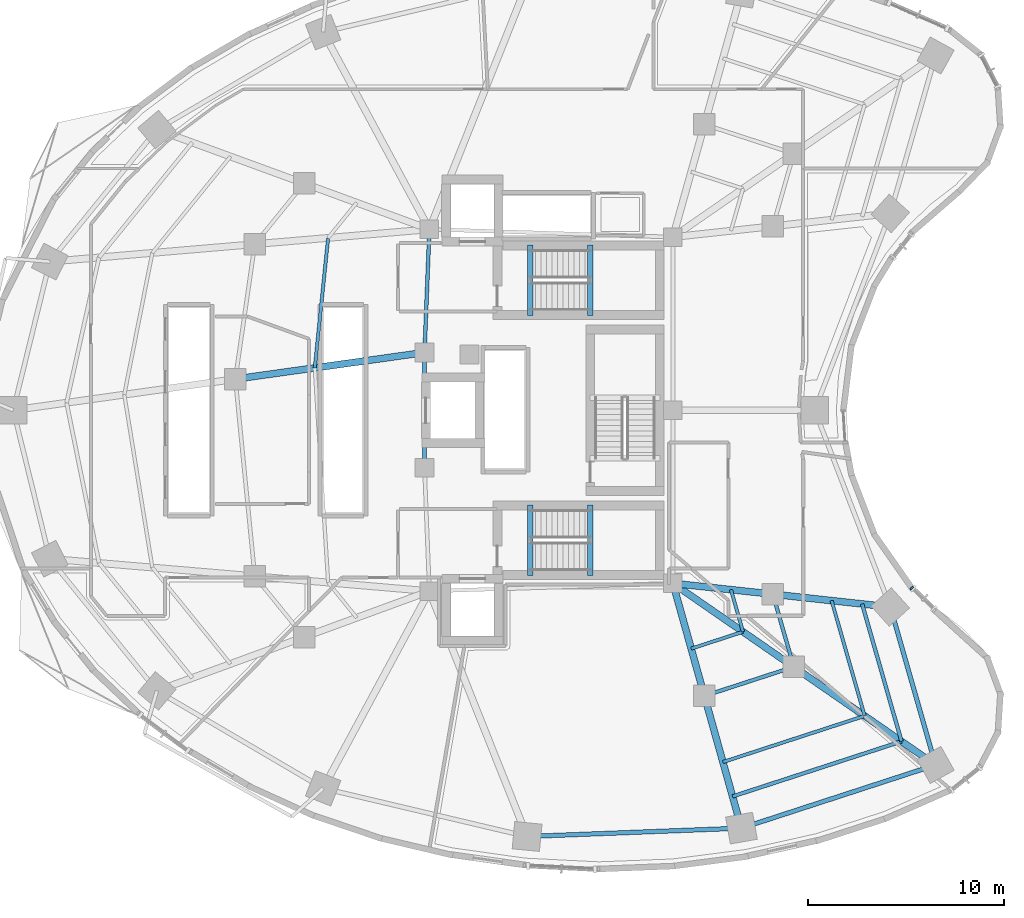
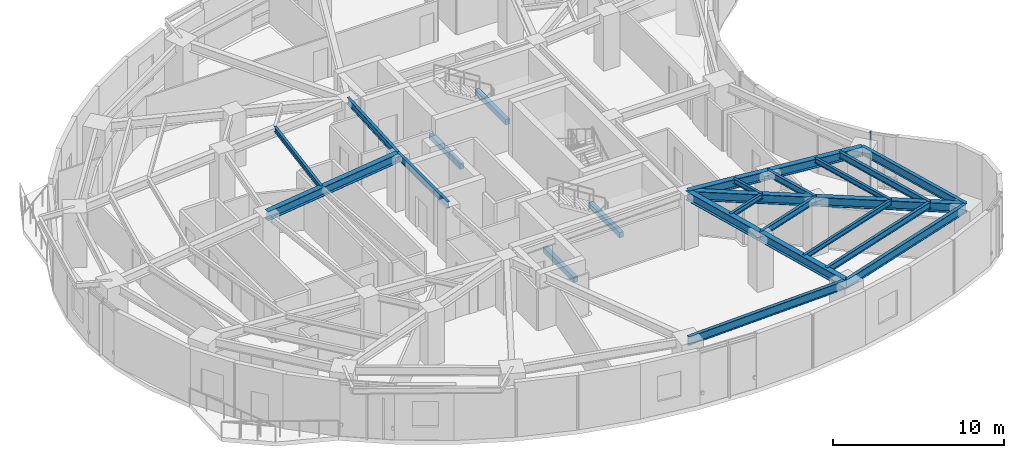
# One storey, part 3 of 14: 25 beams, 1 member, 1 element without a shape of its own.
"""IFC4 building model written with IfcOpenShell, lengths in metres."""

import ifcopenshell
import ifcopenshell.guid

model = None  # the IFC model being written
_history = None  # IfcOwnerHistory: only IFC2X3 demands one
_inside = {}  # id of a spatial element -> (the spatial element, [elements in it])
_under = {}  # id of a project, library or spatial element -> (it, [spatial elements below it])
_declared = {}  # id of a project -> (the project, [libraries it declares])
_typed = {}  # id of a type object -> (the type object, [elements of that type])
_made_of = {}  # id of a material, layer set ... -> (it, [elements and type objects made of it])


def new_model(schema):
    """Start an empty IFC model of exactly this schema.

    Asked for "IFC4X3", IfcOpenShell would pick the latest addendum, in which some entities
    have other attributes; the version numbers below select the first issue.
    IFC2X3 requires an IfcOwnerHistory on every rooted entity: one is made here for all.
    """
    global model, _history
    if schema == "IFC4X3":
        model = ifcopenshell.file(schema_version=(4, 3, 0, 0))
    else:
        model = ifcopenshell.file(schema=schema)
    _inside.clear()
    _under.clear()
    _declared.clear()
    _typed.clear()
    _made_of.clear()
    _history = None
    if model.schema == "IFC2X3":
        org = make("IfcOrganization", Name="unknown")
        user = make(
            "IfcPersonAndOrganization",
            ThePerson=make("IfcPerson", FamilyName="unknown"),
            TheOrganization=org,
        )
        app = make(
            "IfcApplication",
            ApplicationDeveloper=org,
            Version="unknown",
            ApplicationFullName="unknown",
            ApplicationIdentifier="unknown",
        )
        _history = make(
            "IfcOwnerHistory",
            OwningUser=user,
            OwningApplication=app,
            ChangeAction="ADDED",
            CreationDate=0,
        )
    return model


def make(cls, **values):
    """One entity of the class cls with the attributes given. An attribute that is None is left unset."""
    return model.create_entity(
        cls, **{name: value for name, value in values.items() if value is not None}
    )


def rooted(cls, **values):
    """An entity with a GlobalId (a new one), such as an element, a storey or a relation."""
    return make(cls, GlobalId=ifcopenshell.guid.new(), OwnerHistory=_history, **values)


def si_unit(unit_type, name, prefix=None):
    """IfcSIUnit, for example si_unit("LENGTHUNIT", "METRE", prefix="MILLI")."""
    return make("IfcSIUnit", UnitType=unit_type, Prefix=prefix, Name=name)


def assignment(units):
    """IfcUnitAssignment: the units of a project."""
    return None if units is None else make("IfcUnitAssignment", Units=units)


def point(xyz):
    """IfcCartesianPoint."""
    return None if xyz is None else make("IfcCartesianPoint", Coordinates=xyz)


def direction(xyz):
    """IfcDirection."""
    return None if xyz is None else make("IfcDirection", DirectionRatios=xyz)


def frame(location, z_axis=None, x_axis=None):
    """IfcAxis2Placement3D, a coordinate frame: its origin and axes. An axis left out is left unset."""
    return make(
        "IfcAxis2Placement3D",
        Location=point(location),
        Axis=direction(z_axis),
        RefDirection=direction(x_axis),
    )


def frame_2d(location, x_axis=None):
    """IfcAxis2Placement2D, a coordinate frame in the plane: its origin and x axis."""
    return make(
        "IfcAxis2Placement2D", Location=point(location), RefDirection=direction(x_axis)
    )


def origin():
    """The frame at (0, 0, 0) with its axes left unset."""
    return frame((0.0, 0.0, 0.0))


def origin_2d():
    """The frame at (0, 0) in the plane with its x axis left unset."""
    return frame_2d((0.0, 0.0))


def place(relative_to, where):
    """IfcLocalPlacement: puts the frame where relative to a parent placement (None: the world)."""
    return make(
        "IfcLocalPlacement", PlacementRelTo=relative_to, RelativePlacement=where
    )


def context(
    kind, dimensions, precision=None, world=None, true_north=None, identifier=None
):
    """IfcGeometricRepresentationContext, for example the 3D "Model" context."""
    return make(
        "IfcGeometricRepresentationContext",
        ContextIdentifier=identifier,
        ContextType=kind,
        CoordinateSpaceDimension=dimensions,
        Precision=precision,
        WorldCoordinateSystem=world,
        TrueNorth=true_north,
    )


def subcontext(parent, identifier, kind, view, scale=None):
    """IfcGeometricRepresentationSubContext, for example "Body" below "Model"."""
    return make(
        "IfcGeometricRepresentationSubContext",
        ContextIdentifier=identifier,
        ContextType=kind,
        ParentContext=parent,
        TargetScale=scale,
        TargetView=view,
    )


def project(units=None, contexts=None):
    """IfcProject with its units and contexts."""
    return rooted(
        "IfcProject",
        Name="project",
        RepresentationContexts=contexts,
        UnitsInContext=assignment(units),
    )


def spatial(cls, under=None, at=None, **own):
    """A site, building, storey or space (cls), placed at a placement, below another one or the project."""
    s = rooted(cls, ObjectPlacement=at, **own)
    if under is not None:
        _under.setdefault(under.id(), (under, []))[1].append(s)
    return s


def profile(cls, at=None, kind="AREA", **sizes):
    """A parametric profile (cls). Its sizes go by their IFC names, for example OverallWidth=200.0."""
    return make(cls, ProfileType=kind, Position=at, **sizes)


def rectangle(**sizes):
    """IfcRectangleProfileDef."""
    return profile("IfcRectangleProfileDef", **sizes)


def i_section(**sizes):
    """IfcIShapeProfileDef."""
    return profile("IfcIShapeProfileDef", **sizes)


def extrude(swept, where, along, depth):
    """IfcExtrudedAreaSolid: the profile swept, set in the frame where, extruded along a direction by depth."""
    return make(
        "IfcExtrudedAreaSolid",
        SweptArea=swept,
        Position=where,
        ExtrudedDirection=direction(along),
        Depth=depth,
    )


def shape(context_of_items, identifier, shape_type, items):
    """IfcShapeRepresentation: the items that make up one representation, for example the "Body"."""
    return make(
        "IfcShapeRepresentation",
        ContextOfItems=context_of_items,
        RepresentationIdentifier=identifier,
        RepresentationType=shape_type,
        Items=items,
    )


def material(Name=None, Category=None):
    """IfcMaterial."""
    return make("IfcMaterial", Name=Name, Category=Category)


def layer(
    of_material, thickness, ventilated=None, Name=None, Category=None, Priority=None
):
    """IfcMaterialLayer: one layer of a wall or slab, of a material (None: an air gap)."""
    return make(
        "IfcMaterialLayer",
        Material=of_material,
        LayerThickness=thickness,
        IsVentilated=ventilated,
        Name=Name,
        Category=Category,
        Priority=Priority,
    )


def layer_set(layers, Name=None):
    """IfcMaterialLayerSet."""
    return make("IfcMaterialLayerSet", MaterialLayers=layers, LayerSetName=Name)


def material_profile(
    of_material, cross_section, Name=None, Category=None, Priority=None
):
    """IfcMaterialProfile: a cross section and its material."""
    return make(
        "IfcMaterialProfile",
        Name=Name,
        Material=of_material,
        Profile=cross_section,
        Priority=Priority,
        Category=Category,
    )


def profile_set(profiles, Name=None, composite=None):
    """IfcMaterialProfileSet."""
    return make(
        "IfcMaterialProfileSet",
        Name=Name,
        MaterialProfiles=profiles,
        CompositeProfile=composite,
    )


def made_of(thing, what):
    """Note that an element or type object is made of a material, layer set ...; save() writes the relation."""
    if what is not None:
        _made_of.setdefault(what.id(), (what, []))[1].append(thing)
    return thing


def type_object(cls, material=None, **own):
    """A type object (cls), such as IfcWallType, which elements share."""
    return made_of(rooted(cls, **own), material)


def element(
    cls,
    number,
    at=None,
    inside=None,
    cuts=None,
    type_object=None,
    material=None,
    context=None,
    identifier="Body",
    shape_type=None,
    held_by="IfcProductDefinitionShape",
    body=None,
    shapes=None,
    **own,
):
    """One element of the class cls, such as IfcWall. Its Tag is "e" and its number.

    at: its placement. inside: the storey or other place that contains it. cuts: it is an
    opening in that element (IfcRelVoidsElement). A single representation is given by context,
    identifier, shape_type and body (its items); several are given by shapes. held_by: the class
    of the entity that holds the representations. save() writes the other relations.
    """
    e = rooted(cls, Tag="e%d" % number, ObjectPlacement=at, **own)
    if body is not None:
        shapes = [shape(context, identifier, shape_type, body)]
    if shapes is not None:
        e.Representation = make(held_by, Representations=shapes)
    if inside is not None:
        _inside.setdefault(inside.id(), (inside, []))[1].append(e)
    if cuts is not None:
        rooted(
            "IfcRelVoidsElement", RelatingBuildingElement=cuts, RelatedOpeningElement=e
        )
    if type_object is not None:
        _typed.setdefault(type_object.id(), (type_object, []))[1].append(e)
    return made_of(e, material)


def aggregate(whole, parts):
    """IfcRelAggregates: a whole, such as a stair, and the parts it consists of."""
    return rooted("IfcRelAggregates", RelatingObject=whole, RelatedObjects=parts)


def save(model, path):
    """Write the relations noted so far, then the file.

    IfcRelAggregates (storeys below a building ...), IfcRelContainedInSpatialStructure (elements
    in a storey), IfcRelDefinesByType, IfcRelAssociatesMaterial and IfcRelDeclares: one each for
    every whole, place, type object, material and project.
    """
    for whole, parts in _under.values():
        aggregate(whole, parts)
    for where, things in _inside.values():
        rooted(
            "IfcRelContainedInSpatialStructure",
            RelatedElements=things,
            RelatingStructure=where,
        )
    for kind, things in _typed.values():
        rooted("IfcRelDefinesByType", RelatedObjects=things, RelatingType=kind)
    for what, things in _made_of.values():
        rooted("IfcRelAssociatesMaterial", RelatedObjects=things, RelatingMaterial=what)
    for by, libraries in _declared.values():
        rooted("IfcRelDeclares", RelatingContext=by, RelatedDefinitions=libraries)
    model.write(path)


model = new_model("IFC4")

# Units and contexts
model_context = context("Model", 3, precision=1e-05, world=origin(), true_north=direction((0.0, 1.0)))
body_context = subcontext(model_context, "Body", "Model", "MODEL_VIEW")
ifc_project = project(units=[si_unit("LENGTHUNIT", "METRE"), si_unit("AREAUNIT", "SQUARE_METRE"), si_unit("VOLUMEUNIT", "CUBIC_METRE"), si_unit("PLANEANGLEUNIT", "RADIAN"), si_unit("MASSUNIT", "GRAM", prefix="KILO")], contexts=[model_context])

# Site, building, storey
site_placement = place(None, origin())
site = spatial("IfcSite", under=ifc_project, at=site_placement, CompositionType="ELEMENT")
building_placement = place(site_placement, origin())
building = spatial("IfcBuilding", under=site, at=building_placement, Name="Korentha Bioscience Tower", CompositionType="ELEMENT")
storey_placement = place(building_placement, frame((0.0, 0.0, 46.800048828125)))
storey = spatial("IfcBuildingStorey", under=building, at=storey_placement, Name="L10", CompositionType="ELEMENT", Elevation=46.800048828125)

# Beams
ifc_material_1 = material(Name="Concrete C50", Category="concrete")
ifc_material_profile_1 = material_profile(ifc_material_1, rectangle(XDim=0.280029296875, YDim=0.3798828125, at=origin_2d()), Name="Concrete C50")
ifc_profile_set_1 = profile_set([ifc_material_profile_1], Name="Concrete C50 (ST-HB380)")
beam_type_1 = type_object("IfcBeamType", Name="Concrete Stair Header Beam RC 280x380", PredefinedType="BEAM", material=ifc_profile_set_1)
for number, where, z_axis, x_axis, name in (
    (1, (30.25, 31.85009765625, -0.18994140625), (0.0, 1.0, 0.0), (-1.0, 0.0, 0.0), "L10 ST-1 Concrete Stair Header Beam"),
    (2, (33.330078125, 31.85009765625, 1.909912109375), (0.0, 1.0, 0.0), (-1.0, 0.0, 0.0), "L10 ST-1 Half-Landing Header Beam 1"),
    (3, (30.25, 18.550048828125, -0.18994140625), (0.0, 1.0, 0.0), (-1.0, 0.0, 0.0), "L10 ST-2 Concrete Stair Header Beam"),
    (4, (33.330078125, 18.550048828125, 1.909912109375), (0.0, 1.0, 0.0), (-1.0, 0.0, 0.0), "L10 ST-2 Half-Landing Header Beam 1"),
):
    element("IfcBeam", number, at=place(storey_placement, frame(where, z_axis=z_axis, x_axis=x_axis)), inside=storey, type_object=beam_type_1, Name=name, PredefinedType="BEAM", context=body_context, shape_type="SweptSolid", body=[
        extrude(rectangle(XDim=0.280029296875, YDim=0.3798828125, at=origin_2d()), origin(), (0.0, 0.0, 1.0), 3.599853515625),
    ])
ifc_material_2 = material(Name="Steel S355", Category="steel")
ifc_material_profile_2 = material_profile(ifc_material_2, i_section(OverallWidth=0.18994140625, OverallDepth=0.45703125, WebThickness=0.009033203125, FlangeThickness=0.014404296875, at=origin_2d()), Name="Steel S355")
ifc_profile_set_2 = profile_set([ifc_material_profile_2], Name="Steel S355 (MB-460)")
beam_type_2 = type_object("IfcBeamType", Name="Mid-Ring Tie Girder W460x74", PredefinedType="BEAM", material=ifc_profile_set_2)
beam_1_placement = place(storey_placement, frame((39.1611328125, 12.392333984375, 3.67138671875), z_axis=(0.950877001105, 0.309568940253, 0.0), x_axis=(-0.309568940253, 0.950877001105, 0.0)))
element("IfcBeam", 5, at=beam_1_placement, inside=storey, type_object=beam_type_2, Name="L10 Mid-Ring Tie Girder 12", PredefinedType="BEAM", context=body_context, shape_type="SweptSolid", body=[
    extrude(i_section(OverallWidth=0.18994140625, OverallDepth=0.45703125, WebThickness=0.009033203125, FlangeThickness=0.014404296875, at=origin_2d()), origin(), (0.0, 0.0, 1.0), 4.80126953125),
])
beam_2_placement = place(storey_placement, frame((43.7265625, 13.878662109375, 3.67138671875), z_axis=(-0.27560557792, 0.961270807535, 0.0), x_axis=(-0.961270807535, -0.27560557792, 0.0)))
element("IfcBeam", 6, at=beam_2_placement, inside=storey, type_object=beam_type_2, Name="L10 Mid-Ring Tie Girder 13", PredefinedType="BEAM", context=body_context, shape_type="SweptSolid", body=[
    extrude(i_section(OverallWidth=0.18994140625, OverallDepth=0.45703125, WebThickness=0.009033203125, FlangeThickness=0.014404296875, at=origin_2d()), origin(), (0.0, 0.0, 1.0), 3.864013671875),
])
beam_3_placement = place(storey_placement, frame((25.10009765625, 36.25, 3.67138671875), z_axis=(-0.039651025576, -0.999213588864, 0.0), x_axis=(0.999213588864, -0.039651025576, 0.0)))
element("IfcBeam", 7, at=beam_3_placement, inside=storey, type_object=beam_type_2, Name="L10 Core Ring Tie Girder 02", PredefinedType="BEAM", context=body_context, shape_type="SweptSolid", body=[
    extrude(i_section(OverallWidth=0.18994140625, OverallDepth=0.45703125, WebThickness=0.009033203125, FlangeThickness=0.014404296875, at=origin_2d()), origin(), (0.0, 0.0, 1.0), 6.304931640625),
])
beam_4_placement = place(storey_placement, frame((24.85009765625, 29.949951171875, 3.67138671875), z_axis=(0.0, -1.0, 0.0), x_axis=(1.0, 0.0, 0.0)))
element("IfcBeam", 8, at=beam_4_placement, inside=storey, type_object=beam_type_2, Name="L10 Core Ring Tie Girder 03", PredefinedType="BEAM", context=body_context, shape_type="SweptSolid", body=[
    extrude(i_section(OverallWidth=0.18994140625, OverallDepth=0.45703125, WebThickness=0.009033203125, FlangeThickness=0.014404296875, at=origin_2d()), origin(), (0.0, 0.0, 1.0), 5.89990234375),
])

# Curtain wall, member
ifc_material_3 = material(Name="Thermally Broken Aluminium Frame", Category="aluminium")
ifc_layer = layer(ifc_material_3, 0.219970703125, Name="Thermally Broken Aluminium Frame")
ifc_layer_set = layer_set([ifc_layer], Name="Thermally Broken Aluminium Frame (CW-T2)")
curtain_wall_type = type_object("IfcCurtainWallType", Name="Solar-Screened Lab Unitised Curtain Wall CW-T2", PredefinedType="USERDEFINED", material=ifc_layer_set)
curtain_wall_placement = place(storey_placement, origin())
curtain_wall = element("IfcCurtainWall", 9, at=curtain_wall_placement, inside=storey, type_object=curtain_wall_type, Name="L10 Curtain Wall 43", ObjectType="UNITISED", PredefinedType="USERDEFINED")
ifc_material_4 = material(Name="Anodised Aluminium 6063-T6", Category="aluminium")
ifc_material_profile_3 = material_profile(ifc_material_4, rectangle(XDim=0.090087890625, YDim=0.199951171875, at=origin_2d()), Name="Anodised Aluminium 6063-T6")
ifc_profile_set_3 = profile_set([ifc_material_profile_3], Name="Anodised Aluminium 6063-T6 (CW-MUL)")
member_type = type_object("IfcMemberType", Name="Mullion RECT 90x200", PredefinedType="MULLION", material=ifc_profile_set_3)
member_placement = place(storey_placement, frame((49.752685546875, 17.90625, 0.0), z_axis=(0.0, 0.0, 1.0), x_axis=(-0.713279246754, 0.700879958445, 0.0)))
member = element("IfcMember", 10, at=member_placement, type_object=member_type, Name="CW-L10-43 Mullion 2", PredefinedType="MULLION", context=body_context, shape_type="SweptSolid", body=[
    extrude(rectangle(XDim=0.090087890625, YDim=0.199951171875, at=origin_2d()), origin(), (0.0, 0.0, 1.0), 3.89990234375),
])
aggregate(curtain_wall, [member])

# Beams
ifc_material_profile_4 = material_profile(ifc_material_2, i_section(OverallWidth=0.22802734375, OverallDepth=0.60791015625, WebThickness=0.01123046875, FlangeThickness=0.017333984375, at=origin_2d()), Name="Steel S355")
ifc_profile_set_4 = profile_set([ifc_material_profile_4], Name="Steel S355 (SB-610)")
beam_type_3 = type_object("IfcBeamType", Name="Perimeter Ring Spandrel Girder W610x113", PredefinedType="SPANDREL", material=ifc_profile_set_4)
beam_5_placement = place(storey_placement, frame((30.09423828125, 5.20751953125, 3.595947265625), z_axis=(0.999246003889, 0.03882555488, 0.0), x_axis=(-0.03882555488, 0.999246003889, 0.0)))
element("IfcBeam", 11, at=beam_5_placement, inside=storey, type_object=beam_type_3, Name="L10 Perimeter Spandrel Girder 11", PredefinedType="SPANDREL", context=body_context, shape_type="SweptSolid", body=[
    extrude(i_section(OverallWidth=0.22802734375, OverallDepth=0.60791015625, WebThickness=0.01123046875, FlangeThickness=0.017333984375, at=origin_2d()), origin(), (0.0, 0.0, 1.0), 10.966552734375),
])
beam_6_placement = place(storey_placement, frame((41.052490234375, 5.63330078125, 3.595947265625), z_axis=(0.95087511444, 0.309574735305, 0.0), x_axis=(-0.309574735305, 0.95087511444, 0.0)))
element("IfcBeam", 12, at=beam_6_placement, inside=storey, type_object=beam_type_3, Name="L10 Perimeter Spandrel Girder 12", PredefinedType="SPANDREL", context=body_context, shape_type="SweptSolid", body=[
    extrude(i_section(OverallWidth=0.22802734375, OverallDepth=0.60791015625, WebThickness=0.01123046875, FlangeThickness=0.017333984375, at=origin_2d()), origin(), (0.0, 0.0, 1.0), 10.4375),
])
beam_7_placement = place(storey_placement, frame((50.977294921875, 8.864501953125, 3.595947265625), z_axis=(-0.275642273411, 0.961260285827, 0.0), x_axis=(-0.961260285827, -0.275642273411, 0.0)))
element("IfcBeam", 13, at=beam_7_placement, inside=storey, type_object=beam_type_3, Name="L10 Perimeter Spandrel Girder 13", PredefinedType="SPANDREL", context=body_context, shape_type="SweptSolid", body=[
    extrude(i_section(OverallWidth=0.22802734375, OverallDepth=0.60791015625, WebThickness=0.01123046875, FlangeThickness=0.017333984375, at=origin_2d()), origin(), (0.0, 0.0, 1.0), 8.400146484375),
])
ifc_material_profile_5 = material_profile(ifc_material_2, i_section(OverallWidth=0.18994140625, OverallDepth=0.45703125, WebThickness=0.009033203125, FlangeThickness=0.014404296875, at=origin_2d()), Name="Steel S355")
ifc_profile_set_5 = profile_set([ifc_material_profile_5], Name="Steel S355 (RB-460)")
beam_type_4 = type_object("IfcBeamType", Name="Radial Laboratory Beam W460x74", PredefinedType="BEAM", material=ifc_profile_set_5)
beam_8_placement = place(storey_placement, frame((40.5986328125, 7.255615234375, 3.67138671875), z_axis=(0.95087437499, 0.309577006554, 0.0), x_axis=(-0.309577006554, 0.95087437499, 0.0)))
element("IfcBeam", 14, at=beam_8_placement, inside=storey, type_object=beam_type_4, Name="L10 Secondary Floor Beam JSTO-12", PredefinedType="BEAM", context=body_context, shape_type="SweptSolid", body=[
    extrude(i_section(OverallWidth=0.18994140625, OverallDepth=0.45703125, WebThickness=0.009033203125, FlangeThickness=0.014404296875, at=origin_2d()), origin(), (0.0, 0.0, 1.0), 9.0849609375),
])
beam_9_placement = place(storey_placement, frame((49.2373046875, 10.068115234375, 3.67138671875), z_axis=(-0.275682421415, 0.961248772443, 0.0), x_axis=(-0.961248772443, -0.275682421415, 0.0)))
element("IfcBeam", 15, at=beam_9_placement, inside=storey, type_object=beam_type_4, Name="L10 Secondary Floor Beam JSTO-13", PredefinedType="BEAM", context=body_context, shape_type="SweptSolid", body=[
    extrude(i_section(OverallWidth=0.18994140625, OverallDepth=0.45703125, WebThickness=0.009033203125, FlangeThickness=0.014404296875, at=origin_2d()), origin(), (0.0, 0.0, 1.0), 7.3115234375),
])
ifc_material_profile_6 = material_profile(ifc_material_2, i_section(OverallWidth=0.35009765625, OverallDepth=0.64990234375, WebThickness=0.01611328125, FlangeThickness=0.02490234375, at=origin_2d()), Name="Steel S355")
ifc_profile_set_6 = profile_set([ifc_material_profile_6], Name="Steel S355 (RB-650)")
beam_type_5 = type_object("IfcBeamType", Name="Radial Laboratory Girder CVS 650x208", PredefinedType="BEAM", material=ifc_profile_set_6)
beam_10_placement = place(storey_placement, frame((24.85009765625, 29.949951171875, 3.574951171875), z_axis=(-0.990307253072, -0.138894004596, 0.0), x_axis=(0.138894004596, -0.990307253072, 0.0)))
element("IfcBeam", 16, at=beam_10_placement, inside=storey, type_object=beam_type_5, Name="L10 Inner Radial Girder 07", PredefinedType="BEAM", context=body_context, shape_type="SweptSolid", body=[
    extrude(i_section(OverallWidth=0.35009765625, OverallDepth=0.64990234375, WebThickness=0.01611328125, FlangeThickness=0.02490234375, at=origin_2d()), origin(), (0.0, 0.0, 1.0), 9.76611328125),
])
beam_11_placement = place(storey_placement, frame((37.550048828125, 18.14990234375, 3.574951171875), z_axis=(0.269469369205, -0.963008961049, 0.0), x_axis=(0.963008961049, 0.269469369205, 0.0)))
element("IfcBeam", 17, at=beam_11_placement, inside=storey, type_object=beam_type_5, Name="L10 Inner Radial Girder 12", PredefinedType="BEAM", context=body_context, shape_type="SweptSolid", body=[
    extrude(i_section(OverallWidth=0.35009765625, OverallDepth=0.64990234375, WebThickness=0.01611328125, FlangeThickness=0.02490234375, at=origin_2d()), origin(), (0.0, 0.0, 1.0), 5.978759765625),
])
beam_12_placement = place(storey_placement, frame((39.1611328125, 12.392333984375, 3.574951171875), z_axis=(0.269475095129, -0.963007358801, 0.0), x_axis=(0.963007358801, 0.269475095129, 0.0)))
element("IfcBeam", 18, at=beam_12_placement, inside=storey, type_object=beam_type_5, Name="L10 Outer Radial Girder 12", PredefinedType="BEAM", context=body_context, shape_type="SweptSolid", body=[
    extrude(i_section(OverallWidth=0.35009765625, OverallDepth=0.64990234375, WebThickness=0.01611328125, FlangeThickness=0.02490234375, at=origin_2d()), origin(), (0.0, 0.0, 1.0), 7.0185546875),
])
beam_13_placement = place(storey_placement, frame((37.550048828125, 18.14990234375, 3.574951171875), z_axis=(0.822491697625, -0.568777115694, 0.0), x_axis=(0.568777115694, 0.822491697625, 0.0)))
element("IfcBeam", 19, at=beam_13_placement, inside=storey, type_object=beam_type_5, Name="L10 Inner Radial Girder 13", PredefinedType="BEAM", context=body_context, shape_type="SweptSolid", body=[
    extrude(i_section(OverallWidth=0.35009765625, OverallDepth=0.64990234375, WebThickness=0.01611328125, FlangeThickness=0.02490234375, at=origin_2d()), origin(), (0.0, 0.0, 1.0), 7.509521484375),
])
beam_14_placement = place(storey_placement, frame((43.7265625, 13.878662109375, 3.574951171875), z_axis=(0.822488186113, -0.568782193555, 0.0), x_axis=(0.568782193555, 0.822488186113, 0.0)))
element("IfcBeam", 20, at=beam_14_placement, inside=storey, type_object=beam_type_5, Name="L10 Outer Radial Girder 13", PredefinedType="BEAM", context=body_context, shape_type="SweptSolid", body=[
    extrude(i_section(OverallWidth=0.35009765625, OverallDepth=0.64990234375, WebThickness=0.01611328125, FlangeThickness=0.02490234375, at=origin_2d()), origin(), (0.0, 0.0, 1.0), 8.815673828125),
])
beam_15_placement = place(storey_placement, frame((37.550048828125, 18.14990234375, 3.574951171875), z_axis=(0.994117709144, -0.10830503389, 0.0), x_axis=(0.10830503389, 0.994117709144, 0.0)))
element("IfcBeam", 21, at=beam_15_placement, inside=storey, type_object=beam_type_5, Name="L10 Inner Radial Girder 14", PredefinedType="BEAM", context=body_context, shape_type="SweptSolid", body=[
    extrude(i_section(OverallWidth=0.35009765625, OverallDepth=0.64990234375, WebThickness=0.01611328125, FlangeThickness=0.02490234375, at=origin_2d()), origin(), (0.0, 0.0, 1.0), 5.141845703125),
])
beam_16_placement = place(storey_placement, frame((42.66162109375, 17.593017578125, 3.574951171875), z_axis=(0.994115805925, -0.108322501862, 0.0), x_axis=(0.108322501862, 0.994115805925, 0.0)))
element("IfcBeam", 22, at=beam_16_placement, inside=storey, type_object=beam_type_5, Name="L10 Outer Radial Girder 14", PredefinedType="BEAM", context=body_context, shape_type="SweptSolid", body=[
    extrude(i_section(OverallWidth=0.35009765625, OverallDepth=0.64990234375, WebThickness=0.01611328125, FlangeThickness=0.02490234375, at=origin_2d()), origin(), (0.0, 0.0, 1.0), 6.03564453125),
])
ifc_material_profile_7 = material_profile(ifc_material_2, i_section(OverallWidth=0.1708984375, OverallDepth=0.35498046875, WebThickness=0.007080078125, FlangeThickness=0.01171875, at=origin_2d()), Name="Steel S355")
ifc_profile_set_7 = profile_set([ifc_material_profile_7], Name="Steel S355 (JB-360)")
beam_type_6 = type_object("IfcBeamType", Name="Secondary Laboratory Joist W360x51", PredefinedType="JOIST", material=ifc_profile_set_7)
beam_17_placement = place(storey_placement, frame((19.9228515625, 35.80859375, 3.722412109375), z_axis=(-0.102144778597, -0.994769543264, 0.0), x_axis=(0.994769543264, -0.102144778597, 0.0)))
element("IfcBeam", 23, at=beam_17_placement, inside=storey, type_object=beam_type_6, Name="L10 Inner Bay Joist 06", PredefinedType="JOIST", context=body_context, shape_type="SweptSolid", body=[
    extrude(i_section(OverallWidth=0.1708984375, OverallDepth=0.35498046875, WebThickness=0.007080078125, FlangeThickness=0.01171875, at=origin_2d()), origin(), (0.0, 0.0, 1.0), 6.680419921875),
])
beam_18_placement = place(storey_placement, frame((40.10693359375, 9.0126953125, 3.722412109375), z_axis=(0.950870992772, 0.309587394938, 0.0), x_axis=(-0.309587394938, 0.950870992772, 0.0)))
element("IfcBeam", 24, at=beam_18_placement, inside=storey, type_object=beam_type_6, Name="L10 Secondary Floor Beam JST-12", PredefinedType="JOIST", context=body_context, shape_type="SweptSolid", body=[
    extrude(i_section(OverallWidth=0.1708984375, OverallDepth=0.35498046875, WebThickness=0.007080078125, FlangeThickness=0.01171875, at=origin_2d()), origin(), (0.0, 0.0, 1.0), 7.619384765625),
])
beam_19_placement = place(storey_placement, frame((38.484619140625, 14.810546875, 3.722412109375), z_axis=(0.950869630746, 0.309591578254, 0.0), x_axis=(-0.309591578254, 0.950869630746, 0.0)))
element("IfcBeam", 25, at=beam_19_placement, inside=storey, type_object=beam_type_6, Name="L10 Inner Bay Joist 12", PredefinedType="JOIST", context=body_context, shape_type="SweptSolid", body=[
    extrude(i_section(OverallWidth=0.1708984375, OverallDepth=0.35498046875, WebThickness=0.007080078125, FlangeThickness=0.01171875, at=origin_2d()), origin(), (0.0, 0.0, 1.0), 2.784423828125),
])
beam_20_placement = place(storey_placement, frame((47.35205078125, 11.37158203125, 3.722412109375), z_axis=(-0.275667500387, 0.96125305161, 0.0), x_axis=(-0.96125305161, -0.275667500387, 0.0)))
element("IfcBeam", 26, at=beam_20_placement, inside=storey, type_object=beam_type_6, Name="L10 Secondary Floor Beam JST-13", PredefinedType="JOIST", context=body_context, shape_type="SweptSolid", body=[
    extrude(i_section(OverallWidth=0.1708984375, OverallDepth=0.35498046875, WebThickness=0.007080078125, FlangeThickness=0.01171875, at=origin_2d()), origin(), (0.0, 0.0, 1.0), 6.132080078125),
])
beam_21_placement = place(storey_placement, frame((41.13232421875, 15.672607421875, 3.722412109375), z_axis=(-0.275613067773, 0.961268660091, 0.0), x_axis=(-0.961268660091, -0.275613067773, 0.0)))
element("IfcBeam", 27, at=beam_21_placement, inside=storey, type_object=beam_type_6, Name="L10 Inner Bay Joist 13", PredefinedType="JOIST", context=body_context, shape_type="SweptSolid", body=[
    extrude(i_section(OverallWidth=0.1708984375, OverallDepth=0.35498046875, WebThickness=0.007080078125, FlangeThickness=0.01171875, at=origin_2d()), origin(), (0.0, 0.0, 1.0), 2.2412109375),
])

save(model, "model.ifc")
